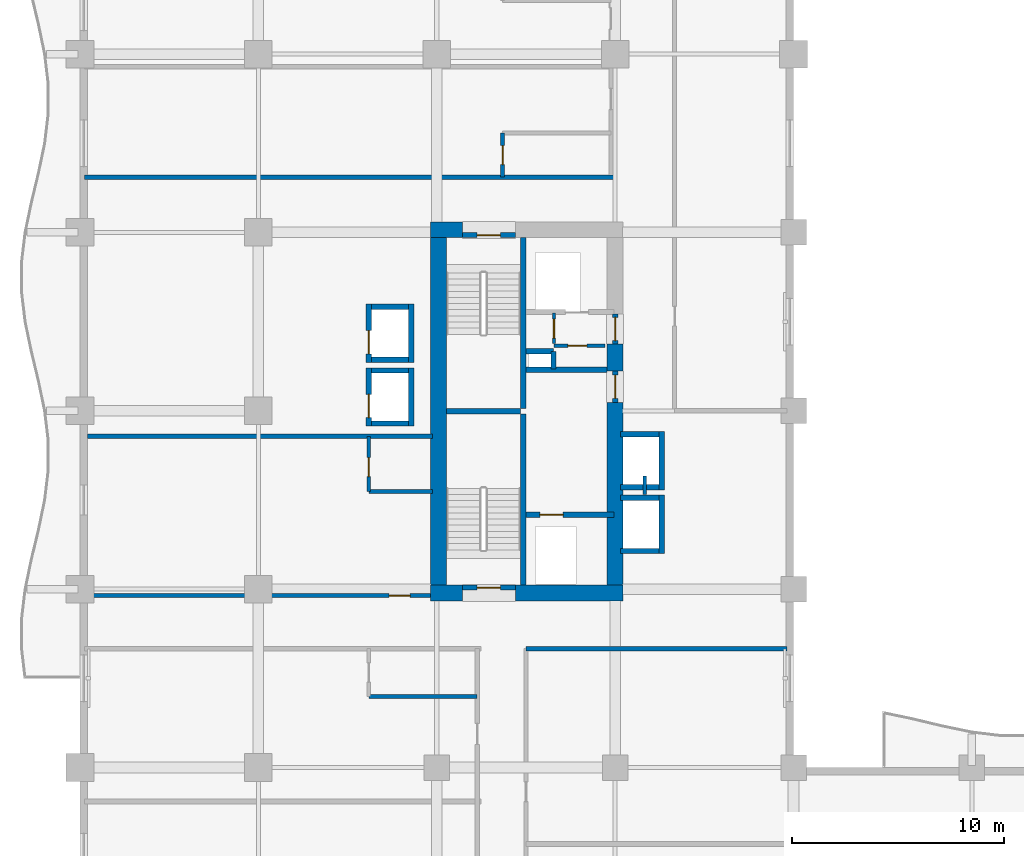
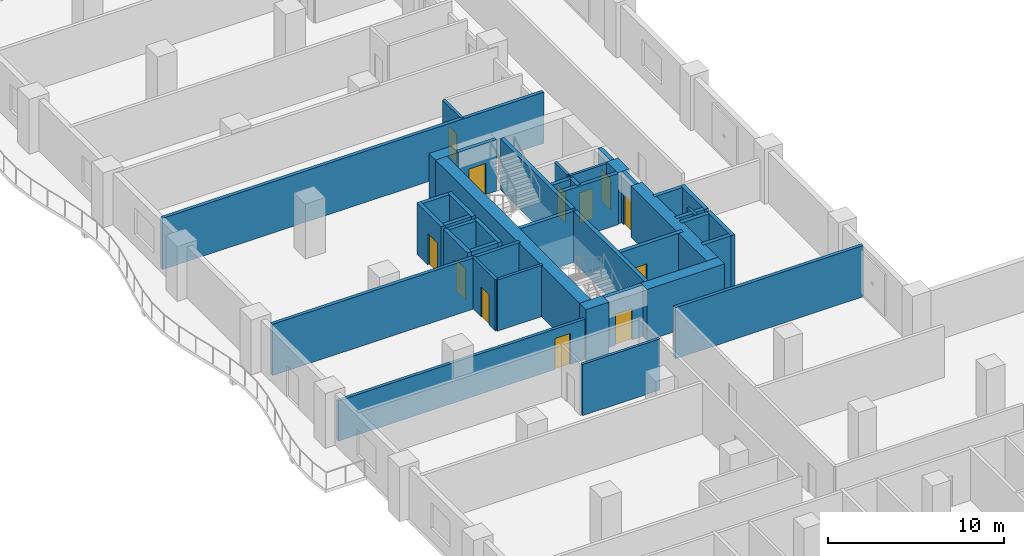
# One storey, part 8 of 18: 42 walls, 12 doors, 12 openings.
"""IFC4 building model written with IfcOpenShell, lengths in metres."""

from ifc_helpers import new_model, si_unit, direction, frame, frame_2d, origin, place, context, subcontext, project, spatial, rectangle, extrude, material, layer, layer_set, type_object, element, fill, save


model = new_model("IFC4")

# Units and contexts
model_context = context("Model", 3, precision=1e-05, world=origin(), true_north=direction((0.0, 1.0)))
body_context = subcontext(model_context, "Body", "Model", "MODEL_VIEW")
ifc_project = project(units=[si_unit("LENGTHUNIT", "METRE"), si_unit("AREAUNIT", "SQUARE_METRE"), si_unit("VOLUMEUNIT", "CUBIC_METRE"), si_unit("PLANEANGLEUNIT", "RADIAN"), si_unit("MASSUNIT", "GRAM", prefix="KILO")], contexts=[model_context])

# Site, building, storey
site_placement = place(None, origin())
site = spatial("IfcSite", under=ifc_project, at=site_placement, CompositionType="ELEMENT")
building_placement = place(site_placement, origin())
building = spatial("IfcBuilding", under=site, at=building_placement, Name="Koriwani Terraces Tower", CompositionType="ELEMENT")
storey_placement = place(building_placement, frame((0.0, 0.0, 107.60009765625)))
storey = spatial("IfcBuildingStorey", under=building, at=storey_placement, Name="L25", CompositionType="ELEMENT", Elevation=107.60009765625)

# Walls
ifc_material_1 = material(Name="Concrete C60/75", Category="concrete")
ifc_layer_1 = layer(ifc_material_1, 0.75, Name="Concrete C60/75")
ifc_layer_set_1 = layer_set([ifc_layer_1], Name="Concrete C60/75")
wall_type_1 = type_object("IfcWallType", Name="WALL_CORE_RC_750", PredefinedType="SHEAR", material=ifc_layer_set_1)
wall_1_placement = place(storey_placement, frame((16.5, 41.824951171875, 0.0), z_axis=(0.0, 0.0, 1.0), x_axis=(1.0, 0.0, 0.0)))
element("IfcWall", 1, at=wall_1_placement, inside=storey, type_object=wall_type_1, Name="L25 West Split Core Shear Wall S1", PredefinedType="SHEAR", context=body_context, shape_type="SweptSolid", body=[
    extrude(rectangle(XDim=1.5, YDim=0.75, at=frame_2d((0.75, 0.0))), origin(), (0.0, 0.0, 1.0), 3.5498046875),
])
wall_2_placement = place(storey_placement, frame((20.5, 41.824951171875, 0.0), z_axis=(0.0, 0.0, 1.0), x_axis=(1.0, 0.0, 0.0)))
element("IfcWall", 2, at=wall_2_placement, inside=storey, type_object=wall_type_1, Name="L25 West Split Core Shear Wall S2", PredefinedType="SHEAR", context=body_context, shape_type="SweptSolid", body=[
    extrude(rectangle(XDim=5.074951171875, YDim=0.75, at=frame_2d((2.53759765625, 0.0))), origin(), (0.0, 0.0, 1.0), 3.5498046875),
])
wall_3_placement = place(storey_placement, frame((16.5, 58.925048828125, 0.0), z_axis=(0.0, 0.0, 1.0), x_axis=(1.0, 0.0, 0.0)))
element("IfcWall", 3, at=wall_3_placement, inside=storey, type_object=wall_type_1, Name="L25 West Split Core Shear Wall N1", PredefinedType="SHEAR", context=body_context, shape_type="SweptSolid", body=[
    extrude(rectangle(XDim=1.5, YDim=0.75, at=frame_2d((0.75, 0.0))), origin(), (0.0, 0.0, 1.0), 3.5498046875),
])
wall_4_placement = place(storey_placement, frame((16.875, 42.199951171875, 0.0), z_axis=(0.0, 0.0, 1.0), x_axis=(0.0, 1.0, 0.0)))
element("IfcWall", 4, at=wall_4_placement, inside=storey, type_object=wall_type_1, Name="L25 West Split Core Shear Wall W1", PredefinedType="SHEAR", context=body_context, shape_type="SweptSolid", body=[
    extrude(rectangle(XDim=16.35009765625, YDim=0.75, at=frame_2d((8.175048828125, 0.0))), origin(), (0.0, 0.0, 1.0), 3.5498046875),
])
wall_5_placement = place(storey_placement, frame((25.199951171875, 42.199951171875, 0.0), z_axis=(0.0, 0.0, 1.0), x_axis=(0.0, 1.0, 0.0)))
element("IfcWall", 5, at=wall_5_placement, inside=storey, type_object=wall_type_1, Name="L25 West Split Core Shear Wall E1", PredefinedType="SHEAR", context=body_context, shape_type="SweptSolid", body=[
    extrude(rectangle(XDim=8.60009765625, YDim=0.75, at=frame_2d((4.300048828125, 0.0))), origin(), (0.0, 0.0, 1.0), 3.5498046875),
])
wall_6_placement = place(storey_placement, frame((25.199951171875, 52.280029296875, 0.0), z_axis=(0.0, 0.0, 1.0), x_axis=(0.0, 1.0, 0.0)))
element("IfcWall", 6, at=wall_6_placement, inside=storey, type_object=wall_type_1, Name="L25 West Split Core Shear Wall E2", PredefinedType="SHEAR", context=body_context, shape_type="SweptSolid", body=[
    extrude(rectangle(XDim=1.27001953125, YDim=0.75, at=frame_2d((0.635009765625, 0.0))), origin(), (0.0, 0.0, 1.0), 3.5498046875),
])

# Wall, opening, door
ifc_material_2 = material(Name="Autoclaved Cellular Concrete Blockwork", Category="masonry")
ifc_layer_2 = layer(ifc_material_2, 0.199951171875, Name="Autoclaved Cellular Concrete Blockwork")
ifc_layer_set_2 = layer_set([ifc_layer_2], Name="Autoclaved Cellular Concrete Blockwork")
wall_type_2 = type_object("IfcWallType", Name="WALL_CORRIDOR_200", PredefinedType="PARTITIONING", material=ifc_layer_set_2)
wall_7_placement = place(storey_placement, frame((0.35009765625, 41.699951171875, 0.0), z_axis=(0.0, 0.0, 1.0), x_axis=(1.0, 0.0, 0.0)))
wall_7 = element("IfcWall", 7, at=wall_7_placement, inside=storey, type_object=wall_type_2, Name="L25 Interior Wall WREC-WS-L25", PredefinedType="PARTITIONING", context=body_context, shape_type="SweptSolid", body=[
    extrude(rectangle(XDim=16.25, YDim=0.199951171875, at=frame_2d((8.125, 0.0))), origin(), (0.0, 0.0, 1.0), 2.7998046875),
])
opening_1_placement = place(wall_7_placement, frame((14.199951171875, 0.0, 0.0)))
opening_1 = element("IfcOpeningElement", 8, at=opening_1_placement, cuts=wall_7, Name="Opening D-05", PredefinedType="OPENING", context=body_context, shape_type="SweptSolid", body=[
    extrude(rectangle(XDim=1.0, YDim=2.14990234375, at=frame_2d((0.5, 1.074951171875))), frame((0.0, 0.10986328125, 0.0), z_axis=(0.0, -1.0, 0.0), x_axis=(1.0, 0.0, 0.0)), (0.0, 0.0, 1.0), 0.219970703125),
])
ifc_material_3 = material(Name="Architectural Oak Fire Door", Category="wood")
door_type_1 = type_object("IfcDoorType", Name="DOOR_SUITE_ENTRY_1000X2150", OperationType="NOTDEFINED", PredefinedType="DOOR", material=ifc_material_3)
door_1_placement = place(opening_1_placement, origin())
door_1 = element("IfcDoor", 9, at=door_1_placement, inside=storey, type_object=door_type_1, Name="L25 Reclaimed West Suite Door", OperationType="SINGLE_SWING_LEFT", OverallHeight=2.14990234375, OverallWidth=1.0, PredefinedType="DOOR", context=body_context, shape_type="SweptSolid", body=[
    extrude(rectangle(XDim=1.0, YDim=2.14990234375, at=frame_2d((0.5, 1.074951171875))), frame((0.0, 0.02490234375, 0.0), z_axis=(0.0, -1.0, 0.0), x_axis=(1.0, 0.0, 0.0)), (0.0, 0.0, 1.0), 0.050048828125),
])
fill(opening_1, door_1)

# Walls
ifc_layer_3 = layer(ifc_material_2, 0.219970703125, Name="Autoclaved Cellular Concrete Blockwork")
ifc_layer_set_3 = layer_set([ifc_layer_3], Name="Autoclaved Cellular Concrete Blockwork")
wall_type_3 = type_object("IfcWallType", Name="WALL_DEMISING_220", PredefinedType="PARTITIONING", material=ifc_layer_set_3)
wall_8_placement = place(storey_placement, frame((0.35009765625, 49.199951171875, 0.0), z_axis=(0.0, 0.0, 1.0), x_axis=(1.0, 0.0, 0.0)))
element("IfcWall", 10, at=wall_8_placement, inside=storey, type_object=wall_type_3, Name="L25 Interior Wall WREC-WN-L25", PredefinedType="PARTITIONING", context=body_context, shape_type="SweptSolid", body=[
    extrude(rectangle(XDim=16.25, YDim=0.219970703125, at=frame_2d((8.125, 0.0))), origin(), (0.0, 0.0, 1.0), 3.5498046875),
])
wall_9_placement = place(storey_placement, frame((21.0, 39.199951171875, 0.0), z_axis=(0.0, 0.0, 1.0), x_axis=(1.0, 0.0, 0.0)))
element("IfcWall", 11, at=wall_9_placement, inside=storey, type_object=wall_type_3, Name="L25 Interior Wall WIC2-N-L25", PredefinedType="PARTITIONING", context=body_context, shape_type="SweptSolid", body=[
    extrude(rectangle(XDim=12.300048828125, YDim=0.219970703125, at=frame_2d((6.14990234375, 0.0))), origin(), (0.0, 0.0, 1.0), 3.5498046875),
])
wall_10_placement = place(storey_placement, frame((0.199951171875, 61.39990234375, 0.0), z_axis=(0.0, 0.0, 1.0), x_axis=(1.0, 0.0, 0.0)))
element("IfcWall", 12, at=wall_10_placement, inside=storey, type_object=wall_type_3, Name="L25 Interior Wall WDEM-L25-NE-0", PredefinedType="PARTITIONING", context=body_context, shape_type="SweptSolid", body=[
    extrude(rectangle(XDim=24.97998046875, YDim=0.219970703125, at=frame_2d((12.489990234375, 0.0))), origin(), (0.0, 0.0, 1.0), 3.5498046875),
])
ifc_material_4 = material(Name="Fire-Rated Acoustic Gypsum Partition", Category="masonry")
ifc_layer_4 = layer(ifc_material_4, 0.179931640625, Name="Fire-Rated Acoustic Gypsum Partition")
ifc_layer_set_4 = layer_set([ifc_layer_4], Name="Fire-Rated Acoustic Gypsum Partition")
wall_type_4 = type_object("IfcWallType", Name="WALL_PLUMBING_180", PredefinedType="PLUMBINGWALL", material=ifc_layer_set_4)
wall_11_placement = place(storey_placement, frame((13.60009765625, 46.60009765625, 0.0), z_axis=(0.0, 0.0, 1.0), x_axis=(1.0, 0.0, 0.0)))
element("IfcWall", 13, at=wall_11_placement, inside=storey, type_object=wall_type_4, Name="L25 Interior Wall WREC-WB1-L25", PredefinedType="PLUMBINGWALL", context=body_context, shape_type="SweptSolid", body=[
    extrude(rectangle(XDim=3.0, YDim=0.179931640625, at=frame_2d((1.5, 0.0))), origin(), (0.0, 0.0, 1.0), 3.5498046875),
])

# Wall, opening, door
wall_12_placement = place(storey_placement, frame((13.60009765625, 46.60009765625, 0.0), z_axis=(0.0, 0.0, 1.0), x_axis=(0.0, 1.0, 0.0)))
wall_12 = element("IfcWall", 14, at=wall_12_placement, inside=storey, type_object=wall_type_4, Name="L25 Interior Wall WREC-WB2-L25", PredefinedType="PLUMBINGWALL", context=body_context, shape_type="SweptSolid", body=[
    extrude(rectangle(XDim=2.599853515625, YDim=0.179931640625, at=frame_2d((1.2998046875, 0.0))), origin(), (0.0, 0.0, 1.0), 3.5498046875),
])
opening_2_placement = place(wall_12_placement, frame((0.699951171875, 0.0, 0.0)))
opening_2 = element("IfcOpeningElement", 15, at=opening_2_placement, cuts=wall_12, Name="Opening D-07", PredefinedType="OPENING", context=body_context, shape_type="SweptSolid", body=[
    extrude(rectangle(XDim=0.89990234375, YDim=2.10009765625, at=frame_2d((0.449951171875, 1.050048828125))), frame((0.0, 0.10009765625, 0.0), z_axis=(0.0, -1.0, 0.0), x_axis=(1.0, 0.0, 0.0)), (0.0, 0.0, 1.0), 0.199951171875),
])
door_type_2 = type_object("IfcDoorType", Name="DOOR_BATH_INT_900X2100", OperationType="NOTDEFINED", PredefinedType="DOOR", material=ifc_material_3)
door_2_placement = place(opening_2_placement, origin())
door_2 = element("IfcDoor", 16, at=door_2_placement, inside=storey, type_object=door_type_2, Name="L25 Reclaimed Suite En-Suite Door", OperationType="SINGLE_SWING_RIGHT", OverallHeight=2.10009765625, OverallWidth=0.89990234375, PredefinedType="DOOR", context=body_context, shape_type="SweptSolid", body=[
    extrude(rectangle(XDim=0.89990234375, YDim=2.10009765625, at=frame_2d((0.449951171875, 1.050048828125))), frame((0.0, 0.02490234375, 0.0), z_axis=(0.0, -1.0, 0.0), x_axis=(1.0, 0.0, 0.0)), (0.0, 0.0, 1.0), 0.050048828125),
])
fill(opening_2, door_2)

# Wall
wall_13_placement = place(storey_placement, frame((13.60009765625, 36.949951171875, 0.0), z_axis=(0.0, 0.0, 1.0), x_axis=(1.0, 0.0, 0.0)))
element("IfcWall", 17, at=wall_13_placement, inside=storey, type_object=wall_type_4, Name="L25 Interior Wall WBTH2-L25-NW-1", PredefinedType="PLUMBINGWALL", context=body_context, shape_type="SweptSolid", body=[
    extrude(rectangle(XDim=5.099853515625, YDim=0.179931640625, at=frame_2d((2.5498046875, 0.0))), origin(), (0.0, 0.0, 1.0), 3.5498046875),
])

# Wall, opening, door
wall_14_placement = place(storey_placement, frame((19.89990234375, 61.39990234375, 0.0), z_axis=(0.0, 0.0, 1.0), x_axis=(0.0, 1.0, 0.0)))
wall_14 = element("IfcWall", 18, at=wall_14_placement, inside=storey, type_object=wall_type_4, Name="L25 Interior Wall WBTH1-L25-NE-0", PredefinedType="PLUMBINGWALL", context=body_context, shape_type="SweptSolid", body=[
    extrude(rectangle(XDim=2.080078125, YDim=0.179931640625, at=frame_2d((1.0400390625, 0.0))), origin(), (0.0, 0.0, 1.0), 3.5498046875),
])
opening_3_placement = place(wall_14_placement, frame((0.590087890625, 0.0, 0.0)))
opening_3 = element("IfcOpeningElement", 19, at=opening_3_placement, cuts=wall_14, Name="Opening D-07", PredefinedType="OPENING", context=body_context, shape_type="SweptSolid", body=[
    extrude(rectangle(XDim=0.89990234375, YDim=2.10009765625, at=frame_2d((0.449951171875, 1.050048828125))), frame((0.0, 0.10009765625, 0.0), z_axis=(0.0, -1.0, 0.0), x_axis=(1.0, 0.0, 0.0)), (0.0, 0.0, 1.0), 0.199951171875),
])
door_3_placement = place(opening_3_placement, origin())
door_3 = element("IfcDoor", 20, at=door_3_placement, inside=storey, type_object=door_type_2, Name="En-Suite Bathroom 25NE1 Door", OperationType="SINGLE_SWING_LEFT", OverallHeight=2.10009765625, OverallWidth=0.89990234375, PredefinedType="DOOR", context=body_context, shape_type="SweptSolid", body=[
    extrude(rectangle(XDim=0.89990234375, YDim=2.10009765625, at=frame_2d((0.449951171875, 1.050048828125))), frame((0.0, 0.02490234375, 0.0), z_axis=(0.0, -1.0, 0.0), x_axis=(1.0, 0.0, 0.0)), (0.0, 0.0, 1.0), 0.050048828125),
])
fill(opening_3, door_3)

# Walls
ifc_material_5 = material(Name="Concrete C40/50", Category="concrete")
ifc_layer_5 = layer(ifc_material_5, 0.25, Name="Concrete C40/50")
ifc_layer_set_5 = layer_set([ifc_layer_5], Name="Concrete C40/50")
wall_type_5 = type_object("IfcWallType", Name="WALL_SHAFT_RATED_250", PredefinedType="SOLIDWALL", material=ifc_layer_set_5)
for number, where, z_axis, x_axis, name in (
    (21, (20.875, 42.199951171875, 0.0), (0.0, 0.0, 1.0), (0.0, 1.0, 0.0), "L25 West Split Core Web Wall MID1"),
    (22, (20.875, 50.5, 0.0), (0.0, 0.0, 1.0), (0.0, 1.0, 0.0), "L25 West Split Core Web Wall MID2"),
):
    element("IfcWall", number, at=place(storey_placement, frame(where, z_axis=z_axis, x_axis=x_axis)), inside=storey, type_object=wall_type_5, Name=name, PredefinedType="SOLIDWALL", context=body_context, shape_type="SweptSolid", body=[
        extrude(rectangle(XDim=8.050048828125, YDim=0.25, at=frame_2d((4.02490234375, 0.0))), origin(), (0.0, 0.0, 1.0), 3.5498046875),
    ])
wall_15_placement = place(storey_placement, frame((17.25, 50.375, 0.0), z_axis=(0.0, 0.0, 1.0), x_axis=(1.0, 0.0, 0.0)))
element("IfcWall", 23, at=wall_15_placement, inside=storey, type_object=wall_type_5, Name="L25 West Split Core Stair Dividing Wall", PredefinedType="SOLIDWALL", context=body_context, shape_type="SweptSolid", body=[
    extrude(rectangle(XDim=3.5, YDim=0.25, at=frame_2d((1.75, 0.0))), origin(), (0.0, 0.0, 1.0), 3.5498046875),
])

# Wall, opening, door
wall_16_placement = place(storey_placement, frame((18.0, 42.074951171875, 0.0), z_axis=(0.0, 0.0, 1.0), x_axis=(1.0, 0.0, 0.0)))
wall_16 = element("IfcWall", 24, at=wall_16_placement, inside=storey, type_object=wall_type_5, Name="L25 Interior Wall WIN-CW-L25-STS", PredefinedType="SOLIDWALL", context=body_context, shape_type="SweptSolid", body=[
    extrude(rectangle(XDim=2.5, YDim=0.25, at=frame_2d((1.25, 0.0))), origin(), (0.0, 0.0, 1.0), 3.5498046875),
])
opening_4_placement = place(wall_16_placement, frame((0.699951171875, 0.0, 0.0)))
opening_4 = element("IfcOpeningElement", 25, at=opening_4_placement, cuts=wall_16, Name="Opening D-03", PredefinedType="OPENING", context=body_context, shape_type="SweptSolid", body=[
    extrude(rectangle(XDim=1.10009765625, YDim=2.14990234375, at=frame_2d((0.550048828125, 1.074951171875))), frame((0.0, 0.135009765625, 0.0), z_axis=(0.0, -1.0, 0.0), x_axis=(1.0, 0.0, 0.0)), (0.0, 0.0, 1.0), 0.27001953125),
])
ifc_material_6 = material(Name="Steel ASTM A572 Grade 50", Category="steel")
door_type_3 = type_object("IfcDoorType", Name="DOOR_STAIR_FIRE_1100X2150", OperationType="NOTDEFINED", PredefinedType="DOOR", material=ifc_material_6)
door_4_placement = place(opening_4_placement, origin())
door_4 = element("IfcDoor", 26, at=door_4_placement, inside=storey, type_object=door_type_3, Name="L25 Exit Stair ST-W1 Door", OperationType="SINGLE_SWING_LEFT", OverallHeight=2.14990234375, OverallWidth=1.10009765625, PredefinedType="DOOR", context=body_context, shape_type="SweptSolid", body=[
    extrude(rectangle(XDim=1.10009765625, YDim=2.14990234375, at=frame_2d((0.550048828125, 1.074951171875))), frame((0.0, 0.02490234375, 0.0), z_axis=(0.0, -1.0, 0.0), x_axis=(1.0, 0.0, 0.0)), (0.0, 0.0, 1.0), 0.050048828125),
])
fill(opening_4, door_4)

wall_17_placement = place(storey_placement, frame((18.0, 58.675048828125, 0.0), z_axis=(0.0, 0.0, 1.0), x_axis=(1.0, 0.0, 0.0)))
wall_17 = element("IfcWall", 27, at=wall_17_placement, inside=storey, type_object=wall_type_5, Name="L25 Interior Wall WIN-CW-L25-STN", PredefinedType="SOLIDWALL", context=body_context, shape_type="SweptSolid", body=[
    extrude(rectangle(XDim=2.5, YDim=0.25, at=frame_2d((1.25, 0.0))), origin(), (0.0, 0.0, 1.0), 3.5498046875),
])
opening_5_placement = place(wall_17_placement, frame((0.699951171875, 0.0, 0.0)))
opening_5 = element("IfcOpeningElement", 28, at=opening_5_placement, cuts=wall_17, Name="Opening D-03", PredefinedType="OPENING", context=body_context, shape_type="SweptSolid", body=[
    extrude(rectangle(XDim=1.10009765625, YDim=2.14990234375, at=frame_2d((0.550048828125, 1.074951171875))), frame((0.0, 0.135009765625, 0.0), z_axis=(0.0, -1.0, 0.0), x_axis=(1.0, 0.0, 0.0)), (0.0, 0.0, 1.0), 0.27001953125),
])
door_5_placement = place(opening_5_placement, origin())
door_5 = element("IfcDoor", 29, at=door_5_placement, inside=storey, type_object=door_type_3, Name="L25 Exit Stair ST-W2 Door", OperationType="SINGLE_SWING_RIGHT", OverallHeight=2.14990234375, OverallWidth=1.10009765625, PredefinedType="DOOR", context=body_context, shape_type="SweptSolid", body=[
    extrude(rectangle(XDim=1.10009765625, YDim=2.14990234375, at=frame_2d((0.550048828125, 1.074951171875))), frame((0.0, 0.02490234375, 0.0), z_axis=(0.0, -1.0, 0.0), x_axis=(1.0, 0.0, 0.0)), (0.0, 0.0, 1.0), 0.050048828125),
])
fill(opening_5, door_5)

wall_18_placement = place(storey_placement, frame((21.0, 45.5, 0.0), z_axis=(0.0, 0.0, 1.0), x_axis=(1.0, 0.0, 0.0)))
wall_18 = element("IfcWall", 30, at=wall_18_placement, inside=storey, type_object=wall_type_5, Name="L25 Interior Wall WIN-CW-L25-FE", PredefinedType="SOLIDWALL", context=body_context, shape_type="SweptSolid", body=[
    extrude(rectangle(XDim=4.14990234375, YDim=0.25, at=frame_2d((2.074951171875, 0.0))), origin(), (0.0, 0.0, 1.0), 3.5498046875),
])
opening_6_placement = place(wall_18_placement, frame((0.64990234375, 0.0, 0.0)))
opening_6 = element("IfcOpeningElement", 31, at=opening_6_placement, cuts=wall_18, Name="Opening LD-01", PredefinedType="OPENING", context=body_context, shape_type="SweptSolid", body=[
    extrude(rectangle(XDim=1.10009765625, YDim=2.14990234375, at=frame_2d((0.550048828125, 1.074951171875))), frame((0.0, 0.135009765625, 0.0), z_axis=(0.0, -1.0, 0.0), x_axis=(1.0, 0.0, 0.0)), (0.0, 0.0, 1.0), 0.27001953125),
])
door_type_4 = type_object("IfcDoorType", Name="DOOR_LIFT_LANDING_1100X2200", OperationType="NOTDEFINED", PredefinedType="DOOR", material=ifc_material_6)
door_6_placement = place(opening_6_placement, origin())
door_6 = element("IfcDoor", 32, at=door_6_placement, inside=storey, type_object=door_type_4, Name="L25 Firefighting Lift FE-01 Landing Door", OperationType="SLIDING_TO_LEFT", OverallHeight=2.14990234375, OverallWidth=1.10009765625, PredefinedType="DOOR", context=body_context, shape_type="SweptSolid", body=[
    extrude(rectangle(XDim=1.10009765625, YDim=2.14990234375, at=frame_2d((0.550048828125, 1.074951171875))), frame((0.0, 0.02490234375, 0.0), z_axis=(0.0, -1.0, 0.0), x_axis=(1.0, 0.0, 0.0)), (0.0, 0.0, 1.0), 0.050048828125),
])
fill(opening_6, door_6)

wall_19_placement = place(storey_placement, frame((25.199951171875, 50.800048828125, 0.0), z_axis=(0.0, 0.0, 1.0), x_axis=(0.0, 1.0, 0.0)))
wall_19 = element("IfcWall", 33, at=wall_19_placement, inside=storey, type_object=wall_type_5, Name="L25 Interior Wall WIN-CW-L25-EP", PredefinedType="SOLIDWALL", context=body_context, shape_type="SweptSolid", body=[
    extrude(rectangle(XDim=1.47998046875, YDim=0.25, at=frame_2d((0.739990234375, 0.0))), origin(), (0.0, 0.0, 1.0), 3.5498046875),
])
opening_7_placement = place(wall_19_placement, frame((0.179931640625, 0.0, 0.0)))
opening_7 = element("IfcOpeningElement", 34, at=opening_7_placement, cuts=wall_19, Name="Opening D-03", PredefinedType="OPENING", context=body_context, shape_type="SweptSolid", body=[
    extrude(rectangle(XDim=1.10009765625, YDim=2.14990234375, at=frame_2d((0.550048828125, 1.074951171875))), frame((0.0, 0.135009765625, 0.0), z_axis=(0.0, -1.0, 0.0), x_axis=(1.0, 0.0, 0.0)), (0.0, 0.0, 1.0), 0.27001953125),
])
door_7_placement = place(opening_7_placement, origin())
door_7 = element("IfcDoor", 35, at=door_7_placement, inside=storey, type_object=door_type_3, Name="L25 West Firefighting Lobby Door", OperationType="SINGLE_SWING_LEFT", OverallHeight=2.14990234375, OverallWidth=1.10009765625, PredefinedType="DOOR", context=body_context, shape_type="SweptSolid", body=[
    extrude(rectangle(XDim=1.10009765625, YDim=2.14990234375, at=frame_2d((0.550048828125, 1.074951171875))), frame((0.0, 0.02490234375, 0.0), z_axis=(0.0, -1.0, 0.0), x_axis=(1.0, 0.0, 0.0)), (0.0, 0.0, 1.0), 0.050048828125),
])
fill(opening_7, door_7)

# Wall
wall_20_placement = place(storey_placement, frame((21.0, 52.340087890625, 0.0), z_axis=(0.0, 0.0, 1.0), x_axis=(1.0, 0.0, 0.0)))
element("IfcWall", 36, at=wall_20_placement, inside=storey, type_object=wall_type_5, Name="L25 Interior Wall WIN-CW-L25-FFN", PredefinedType="SOLIDWALL", context=body_context, shape_type="SweptSolid", body=[
    extrude(rectangle(XDim=3.824951171875, YDim=0.25, at=frame_2d((1.91259765625, 0.0))), origin(), (0.0, 0.0, 1.0), 3.5498046875),
])

# Wall, opening, door
wall_21_placement = place(storey_placement, frame((25.199951171875, 53.550048828125, 0.0), z_axis=(0.0, 0.0, 1.0), x_axis=(0.0, 1.0, 0.0)))
wall_21 = element("IfcWall", 37, at=wall_21_placement, inside=storey, type_object=wall_type_5, Name="L25 Interior Wall WIN-CW-L25-EP2", PredefinedType="SOLIDWALL", context=body_context, shape_type="SweptSolid", body=[
    extrude(rectangle(XDim=1.39990234375, YDim=0.25, at=frame_2d((0.699951171875, 0.0))), origin(), (0.0, 0.0, 1.0), 3.5498046875),
])
opening_8_placement = place(wall_21_placement, frame((0.14990234375, 0.0, 0.0)))
opening_8 = element("IfcOpeningElement", 38, at=opening_8_placement, cuts=wall_21, Name="Opening D-03", PredefinedType="OPENING", context=body_context, shape_type="SweptSolid", body=[
    extrude(rectangle(XDim=1.10009765625, YDim=2.14990234375, at=frame_2d((0.550048828125, 1.074951171875))), frame((0.0, 0.135009765625, 0.0), z_axis=(0.0, -1.0, 0.0), x_axis=(1.0, 0.0, 0.0)), (0.0, 0.0, 1.0), 0.27001953125),
])
door_8_placement = place(opening_8_placement, origin())
door_8 = element("IfcDoor", 39, at=door_8_placement, inside=storey, type_object=door_type_3, Name="L25 West Goods Lift Lobby Door", OperationType="SINGLE_SWING_RIGHT", OverallHeight=2.14990234375, OverallWidth=1.10009765625, PredefinedType="DOOR", context=body_context, shape_type="SweptSolid", body=[
    extrude(rectangle(XDim=1.10009765625, YDim=2.14990234375, at=frame_2d((0.550048828125, 1.074951171875))), frame((0.0, 0.02490234375, 0.0), z_axis=(0.0, -1.0, 0.0), x_axis=(1.0, 0.0, 0.0)), (0.0, 0.0, 1.0), 0.050048828125),
])
fill(opening_8, door_8)

# Walls
wall_22_placement = place(storey_placement, frame((21.0, 53.199951171875, 0.0), z_axis=(0.0, 0.0, 1.0), x_axis=(1.0, 0.0, 0.0)))
element("IfcWall", 40, at=wall_22_placement, inside=storey, type_object=wall_type_5, Name="L25 Interior Wall WIN-CW-L25-RS1", PredefinedType="SOLIDWALL", context=body_context, shape_type="SweptSolid", body=[
    extrude(rectangle(XDim=1.300048828125, YDim=0.25, at=frame_2d((0.64990234375, 0.0))), origin(), (0.0, 0.0, 1.0), 3.5498046875),
])
wall_23_placement = place(storey_placement, frame((22.300048828125, 52.360107421875, 0.0), z_axis=(0.0, 0.0, 1.0), x_axis=(0.0, 1.0, 0.0)))
element("IfcWall", 41, at=wall_23_placement, inside=storey, type_object=wall_type_5, Name="L25 Interior Wall WIN-CW-L25-RS2", PredefinedType="SOLIDWALL", context=body_context, shape_type="SweptSolid", body=[
    extrude(rectangle(XDim=0.83984375, YDim=0.25, at=frame_2d((0.419921875, 0.0))), origin(), (0.0, 0.0, 1.0), 3.5498046875),
])

# Wall, opening, door
wall_24_placement = place(storey_placement, frame((13.60009765625, 49.675048828125, 0.0), z_axis=(0.0, 0.0, 1.0), x_axis=(0.0, 1.0, 0.0)))
wall_24 = element("IfcWall", 42, at=wall_24_placement, inside=storey, type_object=wall_type_5, Name="L25 Interior Wall WIN-LF-PE-M1-L25-F", PredefinedType="SOLIDWALL", context=body_context, shape_type="SweptSolid", body=[
    extrude(rectangle(XDim=2.75, YDim=0.25, at=frame_2d((1.375, 0.0))), origin(), (0.0, 0.0, 1.0), 3.5498046875),
])
opening_9_placement = place(wall_24_placement, frame((0.39990234375, 0.0, 0.0)))
opening_9 = element("IfcOpeningElement", 43, at=opening_9_placement, cuts=wall_24, Name="Opening LD-01", PredefinedType="OPENING", context=body_context, shape_type="SweptSolid", body=[
    extrude(rectangle(XDim=1.10009765625, YDim=2.14990234375, at=frame_2d((0.550048828125, 1.074951171875))), frame((0.0, 0.135009765625, 0.0), z_axis=(0.0, -1.0, 0.0), x_axis=(1.0, 0.0, 0.0)), (0.0, 0.0, 1.0), 0.27001953125),
])
door_9_placement = place(opening_9_placement, origin())
door_9 = element("IfcDoor", 44, at=door_9_placement, inside=storey, type_object=door_type_4, Name="L25 Passenger Lift PE-M1 Landing Door", OperationType="SLIDING_TO_LEFT", OverallHeight=2.14990234375, OverallWidth=1.10009765625, PredefinedType="DOOR", context=body_context, shape_type="SweptSolid", body=[
    extrude(rectangle(XDim=1.10009765625, YDim=2.14990234375, at=frame_2d((0.550048828125, 1.074951171875))), frame((0.0, 0.02490234375, 0.0), z_axis=(0.0, -1.0, 0.0), x_axis=(1.0, 0.0, 0.0)), (0.0, 0.0, 1.0), 0.050048828125),
])
fill(opening_9, door_9)

# Walls
wall_25_placement = place(storey_placement, frame((15.60009765625, 49.675048828125, 0.0), z_axis=(0.0, 0.0, 1.0), x_axis=(0.0, 1.0, 0.0)))
element("IfcWall", 45, at=wall_25_placement, inside=storey, type_object=wall_type_5, Name="L25 Interior Wall WIN-LF-PE-M1-L25-B", PredefinedType="SOLIDWALL", context=body_context, shape_type="SweptSolid", body=[
    extrude(rectangle(XDim=2.75, YDim=0.25, at=frame_2d((1.375, 0.0))), origin(), (0.0, 0.0, 1.0), 3.5498046875),
])
for number, where, z_axis, x_axis, name in (
    (46, (13.72509765625, 49.800048828125, 0.0), (0.0, 0.0, 1.0), (1.0, 0.0, 0.0), "L25 Interior Wall WIN-LF-PE-M1-L25-S"),
    (47, (13.72509765625, 52.300048828125, 0.0), (0.0, 0.0, 1.0), (1.0, 0.0, 0.0), "L25 Interior Wall WIN-LF-PE-M1-L25-N"),
):
    element("IfcWall", number, at=place(storey_placement, frame(where, z_axis=z_axis, x_axis=x_axis)), inside=storey, type_object=wall_type_5, Name=name, PredefinedType="SOLIDWALL", context=body_context, shape_type="SweptSolid", body=[
        extrude(rectangle(XDim=1.75, YDim=0.25, at=frame_2d((0.875, 0.0))), origin(), (0.0, 0.0, 1.0), 3.5498046875),
    ])

# Wall, opening, door
wall_26_placement = place(storey_placement, frame((13.60009765625, 52.675048828125, 0.0), z_axis=(0.0, 0.0, 1.0), x_axis=(0.0, 1.0, 0.0)))
wall_26 = element("IfcWall", 48, at=wall_26_placement, inside=storey, type_object=wall_type_5, Name="L25 Interior Wall WIN-LF-PE-M2-L25-F", PredefinedType="SOLIDWALL", context=body_context, shape_type="SweptSolid", body=[
    extrude(rectangle(XDim=2.75, YDim=0.25, at=frame_2d((1.375, 0.0))), origin(), (0.0, 0.0, 1.0), 3.5498046875),
])
opening_10_placement = place(wall_26_placement, frame((0.39990234375, 0.0, 0.0)))
opening_10 = element("IfcOpeningElement", 49, at=opening_10_placement, cuts=wall_26, Name="Opening LD-01", PredefinedType="OPENING", context=body_context, shape_type="SweptSolid", body=[
    extrude(rectangle(XDim=1.10009765625, YDim=2.14990234375, at=frame_2d((0.550048828125, 1.074951171875))), frame((0.0, 0.135009765625, 0.0), z_axis=(0.0, -1.0, 0.0), x_axis=(1.0, 0.0, 0.0)), (0.0, 0.0, 1.0), 0.27001953125),
])
door_10_placement = place(opening_10_placement, origin())
door_10 = element("IfcDoor", 50, at=door_10_placement, inside=storey, type_object=door_type_4, Name="L25 Passenger Lift PE-M2 Landing Door", OperationType="SLIDING_TO_LEFT", OverallHeight=2.14990234375, OverallWidth=1.10009765625, PredefinedType="DOOR", context=body_context, shape_type="SweptSolid", body=[
    extrude(rectangle(XDim=1.10009765625, YDim=2.14990234375, at=frame_2d((0.550048828125, 1.074951171875))), frame((0.0, 0.02490234375, 0.0), z_axis=(0.0, -1.0, 0.0), x_axis=(1.0, 0.0, 0.0)), (0.0, 0.0, 1.0), 0.050048828125),
])
fill(opening_10, door_10)

# Walls
wall_27_placement = place(storey_placement, frame((15.60009765625, 52.675048828125, 0.0), z_axis=(0.0, 0.0, 1.0), x_axis=(0.0, 1.0, 0.0)))
element("IfcWall", 51, at=wall_27_placement, inside=storey, type_object=wall_type_5, Name="L25 Interior Wall WIN-LF-PE-M2-L25-B", PredefinedType="SOLIDWALL", context=body_context, shape_type="SweptSolid", body=[
    extrude(rectangle(XDim=2.75, YDim=0.25, at=frame_2d((1.375, 0.0))), origin(), (0.0, 0.0, 1.0), 3.5498046875),
])
for number, where, z_axis, x_axis, name in (
    (52, (13.72509765625, 52.800048828125, 0.0), (0.0, 0.0, 1.0), (1.0, 0.0, 0.0), "L25 Interior Wall WIN-LF-PE-M2-L25-S"),
    (53, (13.72509765625, 55.300048828125, 0.0), (0.0, 0.0, 1.0), (1.0, 0.0, 0.0), "L25 Interior Wall WIN-LF-PE-M2-L25-N"),
):
    element("IfcWall", number, at=place(storey_placement, frame(where, z_axis=z_axis, x_axis=x_axis)), inside=storey, type_object=wall_type_5, Name=name, PredefinedType="SOLIDWALL", context=body_context, shape_type="SweptSolid", body=[
        extrude(rectangle(XDim=1.75, YDim=0.25, at=frame_2d((0.875, 0.0))), origin(), (0.0, 0.0, 1.0), 3.5498046875),
    ])
wall_28_placement = place(storey_placement, frame((27.39990234375, 43.675048828125, 0.0), z_axis=(0.0, 0.0, 1.0), x_axis=(0.0, 1.0, 0.0)))
element("IfcWall", 54, at=wall_28_placement, inside=storey, type_object=wall_type_5, Name="L25 Interior Wall WIN-LF-PE-H1-L25-F", PredefinedType="SOLIDWALL", context=body_context, shape_type="SweptSolid", body=[
    extrude(rectangle(XDim=2.75, YDim=0.25, at=frame_2d((1.375, 0.0))), origin(), (0.0, 0.0, 1.0), 3.5498046875),
])
for number, where, z_axis, x_axis, name in (
    (55, (25.449951171875, 43.800048828125, 0.0), (0.0, 0.0, 1.0), (1.0, 0.0, 0.0), "L25 Interior Wall WIN-LF-PE-H1-L25-S"),
    (56, (25.449951171875, 46.300048828125, 0.0), (0.0, 0.0, 1.0), (1.0, 0.0, 0.0), "L25 Interior Wall WIN-LF-PE-H1-L25-N"),
):
    element("IfcWall", number, at=place(storey_placement, frame(where, z_axis=z_axis, x_axis=x_axis)), inside=storey, type_object=wall_type_5, Name=name, PredefinedType="SOLIDWALL", context=body_context, shape_type="SweptSolid", body=[
        extrude(rectangle(XDim=1.824951171875, YDim=0.25, at=frame_2d((0.91259765625, 0.0))), origin(), (0.0, 0.0, 1.0), 3.5498046875),
    ])
wall_29_placement = place(storey_placement, frame((27.39990234375, 46.675048828125, 0.0), z_axis=(0.0, 0.0, 1.0), x_axis=(0.0, 1.0, 0.0)))
element("IfcWall", 57, at=wall_29_placement, inside=storey, type_object=wall_type_5, Name="L25 Interior Wall WIN-LF-PE-H2-L25-F", PredefinedType="SOLIDWALL", context=body_context, shape_type="SweptSolid", body=[
    extrude(rectangle(XDim=2.75, YDim=0.25, at=frame_2d((1.375, 0.0))), origin(), (0.0, 0.0, 1.0), 3.5498046875),
])
for number, where, z_axis, x_axis, name in (
    (58, (25.449951171875, 46.800048828125, 0.0), (0.0, 0.0, 1.0), (1.0, 0.0, 0.0), "L25 Interior Wall WIN-LF-PE-H2-L25-S"),
    (59, (25.449951171875, 49.300048828125, 0.0), (0.0, 0.0, 1.0), (1.0, 0.0, 0.0), "L25 Interior Wall WIN-LF-PE-H2-L25-N"),
):
    element("IfcWall", number, at=place(storey_placement, frame(where, z_axis=z_axis, x_axis=x_axis)), inside=storey, type_object=wall_type_5, Name=name, PredefinedType="SOLIDWALL", context=body_context, shape_type="SweptSolid", body=[
        extrude(rectangle(XDim=1.824951171875, YDim=0.25, at=frame_2d((0.91259765625, 0.0))), origin(), (0.0, 0.0, 1.0), 3.5498046875),
    ])

# Wall, opening, door
ifc_layer_6 = layer(ifc_material_4, 0.159912109375, Name="Fire-Rated Acoustic Gypsum Partition")
ifc_layer_set_6 = layer_set([ifc_layer_6], Name="Fire-Rated Acoustic Gypsum Partition")
wall_type_6 = type_object("IfcWallType", Name="WALL_SUITE_160", PredefinedType="PARTITIONING", material=ifc_layer_set_6)
wall_30_placement = place(storey_placement, frame((22.320068359375, 53.56005859375, 0.0), z_axis=(0.0, 0.0, 1.0), x_axis=(0.0, 1.0, 0.0)))
wall_30 = element("IfcWall", 60, at=wall_30_placement, inside=storey, type_object=wall_type_6, Name="L25 Interior Wall WIN-CW-L25-SV1A", PredefinedType="PARTITIONING", context=body_context, shape_type="SweptSolid", body=[
    extrude(rectangle(XDim=1.43994140625, YDim=0.159912109375, at=frame_2d((0.719970703125, 0.0))), origin(), (0.0, 0.0, 1.0), 3.5498046875),
])
opening_11_placement = place(wall_30_placement, frame((0.260009765625, 0.0, 0.0)))
opening_11 = element("IfcOpeningElement", 61, at=opening_11_placement, cuts=wall_30, Name="Opening D-07", PredefinedType="OPENING", context=body_context, shape_type="SweptSolid", body=[
    extrude(rectangle(XDim=0.89990234375, YDim=2.10009765625, at=frame_2d((0.449951171875, 1.050048828125))), frame((0.0, 0.08984375, 0.0), z_axis=(0.0, -1.0, 0.0), x_axis=(1.0, 0.0, 0.0)), (0.0, 0.0, 1.0), 0.179931640625),
])
door_11_placement = place(opening_11_placement, origin())
door_11 = element("IfcDoor", 62, at=door_11_placement, inside=storey, type_object=door_type_2, Name="L25 West Telecom Room Door", OperationType="SINGLE_SWING_LEFT", OverallHeight=2.10009765625, OverallWidth=0.89990234375, PredefinedType="DOOR", context=body_context, shape_type="SweptSolid", body=[
    extrude(rectangle(XDim=0.89990234375, YDim=2.10009765625, at=frame_2d((0.449951171875, 1.050048828125))), frame((0.0, 0.02490234375, 0.0), z_axis=(0.0, -1.0, 0.0), x_axis=(1.0, 0.0, 0.0)), (0.0, 0.0, 1.0), 0.050048828125),
])
fill(opening_11, door_11)

wall_31_placement = place(storey_placement, frame((22.320068359375, 53.4599609375, 0.0), z_axis=(0.0, 0.0, 1.0), x_axis=(1.0, 0.0, 0.0)))
wall_31 = element("IfcWall", 63, at=wall_31_placement, inside=storey, type_object=wall_type_6, Name="L25 Interior Wall WIN-CW-L25-SV1B", PredefinedType="PARTITIONING", context=body_context, shape_type="SweptSolid", body=[
    extrude(rectangle(XDim=2.39990234375, YDim=0.159912109375, at=frame_2d((1.199951171875, 0.0))), origin(), (0.0, 0.0, 1.0), 3.5498046875),
])
opening_12_placement = place(wall_31_placement, frame((0.64990234375, 0.0, 0.0)))
opening_12 = element("IfcOpeningElement", 64, at=opening_12_placement, cuts=wall_31, Name="Opening D-07", PredefinedType="OPENING", context=body_context, shape_type="SweptSolid", body=[
    extrude(rectangle(XDim=0.89990234375, YDim=2.10009765625, at=frame_2d((0.449951171875, 1.050048828125))), frame((0.0, 0.08984375, 0.0), z_axis=(0.0, -1.0, 0.0), x_axis=(1.0, 0.0, 0.0)), (0.0, 0.0, 1.0), 0.179931640625),
])
door_12_placement = place(opening_12_placement, origin())
door_12 = element("IfcDoor", 65, at=door_12_placement, inside=storey, type_object=door_type_2, Name="L25 West Cleaners Closet Door", OperationType="SINGLE_SWING_RIGHT", OverallHeight=2.10009765625, OverallWidth=0.89990234375, PredefinedType="DOOR", context=body_context, shape_type="SweptSolid", body=[
    extrude(rectangle(XDim=0.89990234375, YDim=2.10009765625, at=frame_2d((0.449951171875, 1.050048828125))), frame((0.0, 0.02490234375, 0.0), z_axis=(0.0, -1.0, 0.0), x_axis=(1.0, 0.0, 0.0)), (0.0, 0.0, 1.0), 0.050048828125),
])
fill(opening_12, door_12)

# Wall
wall_32_placement = place(storey_placement, frame((26.60009765625, 46.4599609375, 0.0), z_axis=(0.0, 0.0, 1.0), x_axis=(0.0, 1.0, 0.0)))
element("IfcWall", 66, at=wall_32_placement, inside=storey, type_object=wall_type_6, Name="L25 Interior Wall WIN-LF-PEH12-MID-L25", PredefinedType="PARTITIONING", context=body_context, shape_type="SweptSolid", body=[
    extrude(rectangle(XDim=0.880126953125, YDim=0.159912109375, at=frame_2d((0.43994140625, 0.0))), origin(), (0.0, 0.0, 1.0), 3.5498046875),
])

save(model, "model.ifc")
